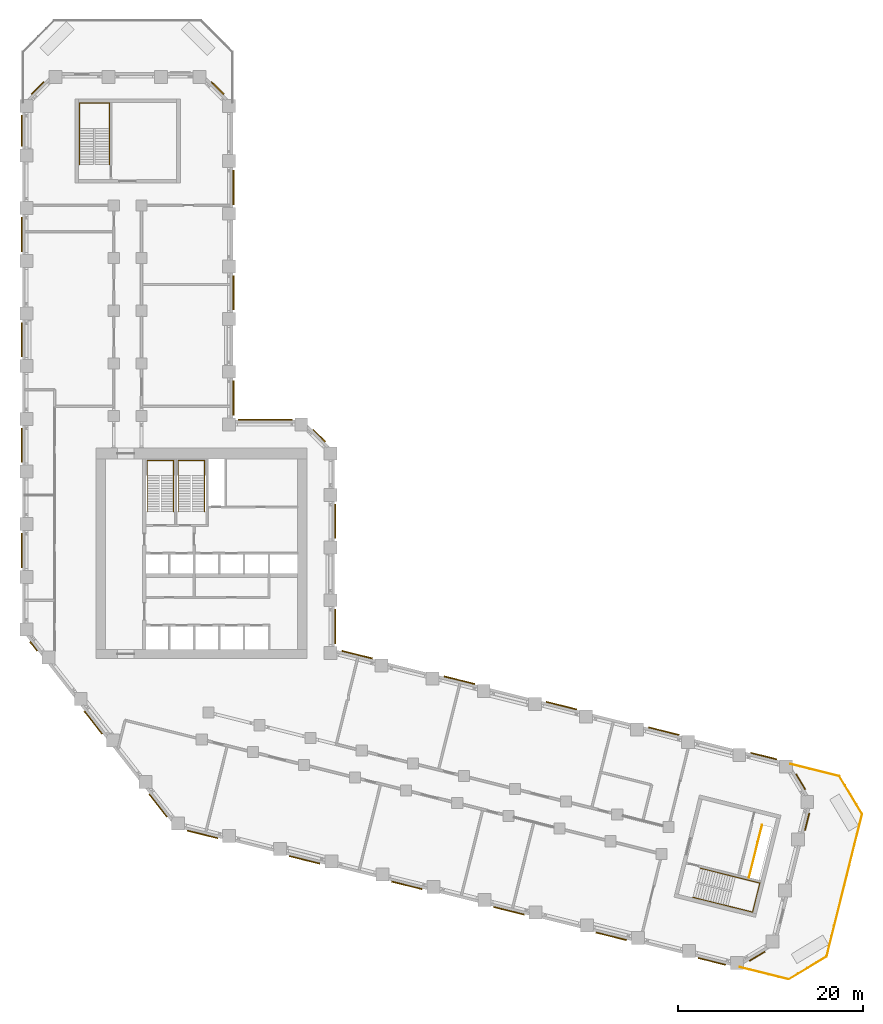
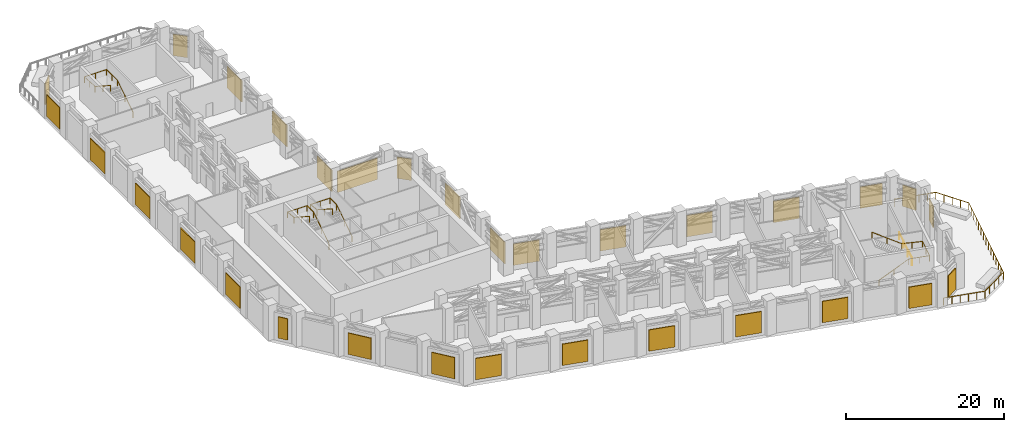
# One storey, part 13 of 14: 31 shading devices, 6 railings.
"""IFC4 building model written with IfcOpenShell, lengths in metres."""

from ifc_helpers import new_model, si_unit, direction, frame, origin, origin_2d, place, context, subcontext, project, spatial, rectangle, circle, extrude, material, layer, layer_set, type_object, element, save


model = new_model("IFC4")

# Units and contexts
model_context = context("Model", 3, precision=1e-05, world=origin(), true_north=direction((0.0, 1.0)))
body_context = subcontext(model_context, "Body", "Model", "MODEL_VIEW")
ifc_project = project(units=[si_unit("LENGTHUNIT", "METRE"), si_unit("AREAUNIT", "SQUARE_METRE"), si_unit("VOLUMEUNIT", "CUBIC_METRE"), si_unit("PLANEANGLEUNIT", "RADIAN"), si_unit("MASSUNIT", "GRAM", prefix="KILO")], contexts=[model_context])

# Site, building, storey
site_placement = place(None, origin())
site = spatial("IfcSite", under=ifc_project, at=site_placement, CompositionType="ELEMENT")
building_placement = place(site_placement, origin())
building = spatial("IfcBuilding", under=site, at=building_placement, Name="Meshkara Civic Tower", CompositionType="ELEMENT")
storey_placement = place(building_placement, frame((0.0, 0.0, 91.800048828125)))
storey = spatial("IfcBuildingStorey", under=building, at=storey_placement, Name="L20", CompositionType="ELEMENT", Elevation=91.800048828125)

# Shading devices
ifc_material_1 = material(Name="Bronze anodised aluminium louvre blades", Category="aluminium")
ifc_layer = layer(ifc_material_1, 0.1201171875)
ifc_layer_set = layer_set([ifc_layer], Name="PLANT LOUVRE BANK")
shading_device_type = type_object("IfcShadingDeviceType", Name="PLANT LOUVRE BANK", PredefinedType="USERDEFINED", material=ifc_layer_set)
shading_device_1_placement = place(storey_placement, frame((80.248046875, 3.551025390625, 0.5), z_axis=(0.0, 0.0, 1.0), x_axis=(-0.970291503795, 0.241938830418, 0.0)))
element("IfcShadingDevice", 1, at=shading_device_1_placement, inside=storey, type_object=shading_device_type, Name="Louvre bank", ObjectType="LOUVRE", PredefinedType="USERDEFINED", context=body_context, shape_type="SweptSolid", body=[
    extrude(rectangle(XDim=2.91796875, YDim=0.1201171875, at=origin_2d()), origin(), (0.0, 0.0, 1.0), 3.300048828125),
])
shading_device_2_placement = place(storey_placement, frame((69.423095703125, 6.25, 0.5), z_axis=(0.0, 0.0, 1.0), x_axis=(-0.970291503795, 0.241938830418, 0.0)))
element("IfcShadingDevice", 2, at=shading_device_2_placement, inside=storey, type_object=shading_device_type, Name="Louvre bank", ObjectType="LOUVRE", PredefinedType="USERDEFINED", context=body_context, shape_type="SweptSolid", body=[
    extrude(rectangle(XDim=3.403076171875, YDim=0.1201171875, at=origin_2d()), origin(), (0.0, 0.0, 1.0), 3.300048828125),
])
shading_device_3_placement = place(storey_placement, frame((58.361083984375, 9.009033203125, 0.5), z_axis=(0.0, 0.0, 1.0), x_axis=(-0.970291503795, 0.241938830418, 0.0)))
element("IfcShadingDevice", 3, at=shading_device_3_placement, inside=storey, type_object=shading_device_type, Name="Louvre bank", ObjectType="LOUVRE", PredefinedType="USERDEFINED", context=body_context, shape_type="SweptSolid", body=[
    extrude(rectangle(XDim=3.402099609375, YDim=0.1201171875, at=origin_2d()), origin(), (0.0, 0.0, 1.0), 3.300048828125),
])
for number, where, z_axis, x_axis, name in (
    (4, (47.300048828125, 11.76708984375, 0.5), (0.0, 0.0, 1.0), (-0.970291503795, 0.241938830418, 0.0), "Louvre bank"),
    (5, (36.239013671875, 14.52490234375, 0.5), (0.0, 0.0, 1.0), (-0.970291503795, 0.241938830418, 0.0), "Louvre bank"),
):
    element("IfcShadingDevice", number, at=place(storey_placement, frame(where, z_axis=z_axis, x_axis=x_axis)), inside=storey, type_object=shading_device_type, Name=name, ObjectType="LOUVRE", PredefinedType="USERDEFINED", context=body_context, shape_type="SweptSolid", body=[
        extrude(rectangle(XDim=3.403076171875, YDim=0.1201171875, at=origin_2d()), origin(), (0.0, 0.0, 1.0), 3.300048828125),
    ])
for number, where, z_axis, x_axis, name in (
    (6, (33.860107421875, 17.569091796875, 0.5), (0.0, 0.0, 1.0), (0.0, 1.0, 0.0), "Louvre bank"),
    (7, (33.860107421875, 28.968994140625, 0.5), (0.0, 0.0, 1.0), (0.0, 1.0, 0.0), "Louvre bank"),
):
    element("IfcShadingDevice", number, at=place(storey_placement, frame(where, z_axis=z_axis, x_axis=x_axis)), inside=storey, type_object=shading_device_type, Name=name, ObjectType="LOUVRE", PredefinedType="USERDEFINED", context=body_context, shape_type="SweptSolid", body=[
        extrude(rectangle(XDim=3.699951171875, YDim=0.1201171875, at=origin_2d()), origin(), (0.0, 0.0, 1.0), 3.300048828125),
    ])
shading_device_4_placement = place(storey_placement, frame((32.132080078125, 38.23193359375, 0.5), z_axis=(0.0, 0.0, 1.0), x_axis=(-0.707106781187, 0.707106781187, 0.0)))
element("IfcShadingDevice", 8, at=shading_device_4_placement, inside=storey, type_object=shading_device_type, Name="Louvre bank", ObjectType="LOUVRE", PredefinedType="USERDEFINED", context=body_context, shape_type="SweptSolid", body=[
    extrude(rectangle(XDim=1.883056640625, YDim=0.1201171875, at=origin_2d()), origin(), (0.0, 0.0, 1.0), 3.300048828125),
])
shading_device_5_placement = place(storey_placement, frame((26.27197265625, 39.9599609375, 0.5), z_axis=(0.0, 0.0, 1.0), x_axis=(-1.0, 0.0, 0.0)))
element("IfcShadingDevice", 9, at=shading_device_5_placement, inside=storey, type_object=shading_device_type, Name="Louvre bank", ObjectType="LOUVRE", PredefinedType="USERDEFINED", context=body_context, shape_type="SweptSolid", body=[
    extrude(rectangle(XDim=5.843994140625, YDim=0.1201171875, at=origin_2d()), origin(), (0.0, 0.0, 1.0), 3.300048828125),
])
for number, where, z_axis, x_axis, name in (
    (10, (22.860107421875, 42.300048828125, 0.5), (0.0, 0.0, 1.0), (0.0, 1.0, 0.0), "Louvre bank"),
    (11, (22.860107421875, 53.699951171875, 0.5), (0.0, 0.0, 1.0), (0.0, 1.0, 0.0), "Louvre bank"),
    (12, (22.860107421875, 65.10009765625, 0.5), (0.0, 0.0, 1.0), (0.0, 1.0, 0.0), "Louvre bank"),
):
    element("IfcShadingDevice", number, at=place(storey_placement, frame(where, z_axis=z_axis, x_axis=x_axis)), inside=storey, type_object=shading_device_type, Name=name, ObjectType="LOUVRE", PredefinedType="USERDEFINED", context=body_context, shape_type="SweptSolid", body=[
        extrude(rectangle(XDim=3.699951171875, YDim=0.1201171875, at=origin_2d()), origin(), (0.0, 0.0, 1.0), 3.300048828125),
    ])
for number, where, z_axis, x_axis, name in (
    (13, (21.132080078125, 75.85205078125, 0.5), (0.0, 0.0, 1.0), (-0.707106781187, 0.707106781187, 0.0), "Louvre bank"),
    (14, (1.66796875, 75.85205078125, 0.5), (0.0, 0.0, 1.0), (-0.707106781187, -0.707106781187, 0.0), "Louvre bank"),
):
    element("IfcShadingDevice", number, at=place(storey_placement, frame(where, z_axis=z_axis, x_axis=x_axis)), inside=storey, type_object=shading_device_type, Name=name, ObjectType="LOUVRE", PredefinedType="USERDEFINED", context=body_context, shape_type="SweptSolid", body=[
        extrude(rectangle(XDim=1.883056640625, YDim=0.1201171875, at=origin_2d()), origin(), (0.0, 0.0, 1.0), 3.300048828125),
    ])
shading_device_6_placement = place(storey_placement, frame((-0.06005859375, 71.23388671875, 0.5), z_axis=(0.0, 0.0, 1.0), x_axis=(0.0, -1.0, 0.0)))
element("IfcShadingDevice", 15, at=shading_device_6_placement, inside=storey, type_object=shading_device_type, Name="Louvre bank", ObjectType="LOUVRE", PredefinedType="USERDEFINED", context=body_context, shape_type="SweptSolid", body=[
    extrude(rectangle(XDim=3.35888671875, YDim=0.1201171875, at=origin_2d()), origin(), (0.0, 0.0, 1.0), 3.300048828125),
])
for number, where, z_axis, x_axis, name in (
    (16, (-0.06005859375, 60.0048828125, 0.5), (0.0, 0.0, 1.0), (0.0, -1.0, 0.0), "Louvre bank"),
    (17, (-0.06005859375, 48.60498046875, 0.5), (0.0, 0.0, 1.0), (0.0, -1.0, 0.0), "Louvre bank"),
    (18, (-0.06005859375, 37.205078125, 0.5), (0.0, 0.0, 1.0), (0.0, -1.0, 0.0), "Louvre bank"),
    (19, (-0.06005859375, 25.804931640625, 0.5), (0.0, 0.0, 1.0), (0.0, -1.0, 0.0), "Louvre bank"),
):
    element("IfcShadingDevice", number, at=place(storey_placement, frame(where, z_axis=z_axis, x_axis=x_axis)), inside=storey, type_object=shading_device_type, Name=name, ObjectType="LOUVRE", PredefinedType="USERDEFINED", context=body_context, shape_type="SweptSolid", body=[
        extrude(rectangle(XDim=3.699951171875, YDim=0.1201171875, at=origin_2d()), origin(), (0.0, 0.0, 1.0), 3.300048828125),
    ])
shading_device_7_placement = place(storey_placement, frame((1.22998046875, 15.427978515625, 0.5), z_axis=(0.0, 0.0, 1.0), x_axis=(0.615661475326, -0.788010753607, 0.0)))
element("IfcShadingDevice", 20, at=shading_device_7_placement, inside=storey, type_object=shading_device_type, Name="Louvre bank", ObjectType="LOUVRE", PredefinedType="USERDEFINED", context=body_context, shape_type="SweptSolid", body=[
    extrude(rectangle(XDim=1.27490234375, YDim=0.1201171875, at=origin_2d()), origin(), (0.0, 0.0, 1.0), 3.300048828125),
])
shading_device_8_placement = place(storey_placement, frame((7.676025390625, 7.177001953125, 0.5), z_axis=(0.0, 0.0, 1.0), x_axis=(0.615661475326, -0.788010753607, 0.0)))
element("IfcShadingDevice", 21, at=shading_device_8_placement, inside=storey, type_object=shading_device_type, Name="Louvre bank", ObjectType="LOUVRE", PredefinedType="USERDEFINED", context=body_context, shape_type="SweptSolid", body=[
    extrude(rectangle(XDim=3.135986328125, YDim=0.1201171875, at=origin_2d()), origin(), (0.0, 0.0, 1.0), 3.300048828125),
])
shading_device_9_placement = place(storey_placement, frame((14.695068359375, -1.805908203125, 0.5), z_axis=(0.0, 0.0, 1.0), x_axis=(0.615661475326, -0.788010753607, 0.0)))
element("IfcShadingDevice", 22, at=shading_device_9_placement, inside=storey, type_object=shading_device_type, Name="Louvre bank", ObjectType="LOUVRE", PredefinedType="USERDEFINED", context=body_context, shape_type="SweptSolid", body=[
    extrude(rectangle(XDim=3.135009765625, YDim=0.1201171875, at=origin_2d()), origin(), (0.0, 0.0, 1.0), 3.300048828125),
])
for number, where, z_axis, x_axis, name in (
    (23, (19.492919921875, -4.922119140625, 0.5), (0.0, 0.0, 1.0), (0.970299948462, -0.241904960708, 0.0), "Louvre bank"),
    (24, (30.553955078125, -7.679931640625, 0.5), (0.0, 0.0, 1.0), (0.970299948462, -0.241904960708, 0.0), "Louvre bank"),
    (25, (41.615966796875, -10.43798828125, 0.5), (0.0, 0.0, 1.0), (0.970299948462, -0.241904960708, 0.0), "Louvre bank"),
    (26, (52.677001953125, -13.195068359375, 0.5), (0.0, 0.0, 1.0), (0.970299948462, -0.241904960708, 0.0), "Louvre bank"),
):
    element("IfcShadingDevice", number, at=place(storey_placement, frame(where, z_axis=z_axis, x_axis=x_axis)), inside=storey, type_object=shading_device_type, Name=name, ObjectType="LOUVRE", PredefinedType="USERDEFINED", context=body_context, shape_type="SweptSolid", body=[
        extrude(rectangle(XDim=3.403076171875, YDim=0.1201171875, at=origin_2d()), origin(), (0.0, 0.0, 1.0), 3.300048828125),
    ])
shading_device_10_placement = place(storey_placement, frame((63.739013671875, -15.952880859375, 0.5), z_axis=(0.0, 0.0, 1.0), x_axis=(0.970299948462, -0.241904960708, 0.0)))
element("IfcShadingDevice", 27, at=shading_device_10_placement, inside=storey, type_object=shading_device_type, Name="Louvre bank", ObjectType="LOUVRE", PredefinedType="USERDEFINED", context=body_context, shape_type="SweptSolid", body=[
    extrude(rectangle(XDim=3.402099609375, YDim=0.1201171875, at=origin_2d()), origin(), (0.0, 0.0, 1.0), 3.300048828125),
])
shading_device_11_placement = place(storey_placement, frame((74.635009765625, -18.669921875, 0.5), z_axis=(0.0, 0.0, 1.0), x_axis=(0.970299948462, -0.241904960708, 0.0)))
element("IfcShadingDevice", 28, at=shading_device_11_placement, inside=storey, type_object=shading_device_type, Name="Louvre bank", ObjectType="LOUVRE", PredefinedType="USERDEFINED", context=body_context, shape_type="SweptSolid", body=[
    extrude(rectangle(XDim=3.06201171875, YDim=0.1201171875, at=origin_2d()), origin(), (0.0, 0.0, 1.0), 3.300048828125),
])
shading_device_12_placement = place(storey_placement, frame((79.532958984375, -18.111083984375, 0.5), z_axis=(0.0, 0.0, 1.0), x_axis=(0.857131342173, 0.515097915221, 0.0)))
element("IfcShadingDevice", 29, at=shading_device_12_placement, inside=storey, type_object=shading_device_type, Name="Louvre bank", ObjectType="LOUVRE", PredefinedType="USERDEFINED", context=body_context, shape_type="SweptSolid", body=[
    extrude(rectangle(XDim=1.94189453125, YDim=0.1201171875, at=origin_2d()), origin(), (0.0, 0.0, 1.0), 3.300048828125),
])
shading_device_13_placement = place(storey_placement, frame((84.943115234375, -3.554931640625, 0.5), z_axis=(0.0, 0.0, 1.0), x_axis=(0.2419218956, 0.970295726276, 0.0)))
element("IfcShadingDevice", 30, at=shading_device_13_placement, inside=storey, type_object=shading_device_type, Name="Louvre bank", ObjectType="LOUVRE", PredefinedType="USERDEFINED", context=body_context, shape_type="SweptSolid", body=[
    extrude(rectangle(XDim=1.889892578125, YDim=0.1201171875, at=origin_2d()), origin(), (0.0, 0.0, 1.0), 3.300048828125),
])
shading_device_14_placement = place(storey_placement, frame((84.241943359375, 0.77490234375, 0.5), z_axis=(0.0, 0.0, 1.0), x_axis=(-0.515097915221, 0.857131342173, 0.0)))
element("IfcShadingDevice", 31, at=shading_device_14_placement, inside=storey, type_object=shading_device_type, Name="Louvre bank", ObjectType="LOUVRE", PredefinedType="USERDEFINED", context=body_context, shape_type="SweptSolid", body=[
    extrude(rectangle(XDim=1.94189453125, YDim=0.1201171875, at=origin_2d()), origin(), (0.0, 0.0, 1.0), 3.300048828125),
])

# Railings
ifc_material_2 = material(Name="Steel guard", Category="steel")
railing_type_1 = type_object("IfcRailingType", Name="Stair guard 1100", PredefinedType="GUARDRAIL", material=ifc_material_2)
railing_1_placement = place(storey_placement, frame((78.64111328125, -9.610107421875, 0.0)))
element("IfcRailing", 32, at=railing_1_placement, inside=storey, type_object=railing_type_1, Name="L20 ESBT well guard", PredefinedType="GUARDRAIL", context=body_context, shape_type="SweptSolid", body=[
    extrude(circle(Radius=0.02392578125, at=origin_2d()), frame((0.0, 0.0, 1.076171875), z_axis=(0.241832106539, 0.970318108791, 0.0), x_axis=(-0.970318108791, 0.241832106539, 0.0)), (0.0, 0.0, 1.0), 5.879638671875),
    extrude(circle(Radius=0.02099609375, at=origin_2d()), origin(), (0.0, 0.0, 1.0), 1.052001953125),
    extrude(circle(Radius=0.02099609375, at=origin_2d()), frame((0.473876953125, 1.901611328125, 0.0)), (0.0, 0.0, 1.0), 1.052001953125),
    extrude(circle(Radius=0.02099609375, at=origin_2d()), frame((0.947998046875, 3.803466796875, 0.0)), (0.0, 0.0, 1.0), 1.052001953125),
    extrude(circle(Radius=0.02099609375, at=origin_2d()), frame((1.421875, 5.705078125, 0.0)), (0.0, 0.0, 1.0), 1.052001953125),
])
ifc_material_3 = material(Name="Steel handrail", Category="steel")
railing_type_2 = type_object("IfcRailingType", Name="Stair handrail 900", PredefinedType="HANDRAIL", material=ifc_material_3)
railing_2_placement = place(storey_placement, frame((16.375, 30.0, 0.179931640625)))
element("IfcRailing", 33, at=railing_2_placement, inside=storey, type_object=railing_type_2, Name="L20 ST1 stair handrail 1", PredefinedType="HANDRAIL", context=body_context, shape_type="SweptSolid", body=[
    extrude(circle(Radius=0.02392578125, at=origin_2d()), frame((0.0, 0.0, 0.8759765625), z_axis=(0.0, 0.841171666519, 0.540768182723), x_axis=(-1.0, 0.0, 0.0)), (0.0, 0.0, 1.0), 4.66015625),
    extrude(circle(Radius=0.02392578125, at=origin_2d()), frame((0.0, 3.919921875, 3.39599609375), z_axis=(0.0, 1.0, 0.0), x_axis=(-1.0, 0.0, 0.0)), (0.0, 0.0, 1.0), 1.630126953125),
    extrude(circle(Radius=0.02392578125, at=origin_2d()), frame((0.0, 5.550048828125, 3.39599609375), z_axis=(-1.0, 0.0, 0.0), x_axis=(0.0, -1.0, 0.0)), (0.0, 0.0, 1.0), 2.85009765625),
    extrude(circle(Radius=0.02392578125, at=origin_2d()), frame((-2.85009765625, 5.550048828125, 3.39599609375), z_axis=(0.0, -0.99396335279, 0.10971259413), x_axis=(1.0, 0.0, 0.0)), (0.0, 0.0, 1.0), 1.64013671875),
    extrude(circle(Radius=0.02392578125, at=origin_2d()), frame((-2.85009765625, 3.919921875, 3.57568359375), z_axis=(0.0, -0.841171666519, 0.540768182723), x_axis=(1.0, 0.0, 0.0)), (0.0, 0.0, 1.0), 4.66015625),
    extrude(circle(Radius=0.02099609375, at=origin_2d()), origin(), (0.0, 0.0, 1.0), 0.851806640625),
    extrude(circle(Radius=0.02099609375, at=origin_2d()), frame((0.0, 1.9599609375, 1.260009765625)), (0.0, 0.0, 1.0), 0.851806640625),
    extrude(circle(Radius=0.02099609375, at=origin_2d()), frame((0.0, 3.919921875, 2.52001953125)), (0.0, 0.0, 1.0), 0.851806640625),
    extrude(circle(Radius=0.02099609375, at=origin_2d()), frame((0.0, 5.550048828125, 2.52001953125)), (0.0, 0.0, 1.0), 0.851806640625),
    extrude(circle(Radius=0.02099609375, at=origin_2d()), frame((-1.425048828125, 5.550048828125, 2.52001953125)), (0.0, 0.0, 1.0), 0.851806640625),
    extrude(circle(Radius=0.02099609375, at=origin_2d()), frame((-2.85009765625, 5.550048828125, 2.52001953125)), (0.0, 0.0, 1.0), 0.851806640625),
    extrude(circle(Radius=0.02099609375, at=origin_2d()), frame((-2.85009765625, 3.919921875, 2.699951171875)), (0.0, 0.0, 1.0), 0.851806640625),
    extrude(circle(Radius=0.02099609375, at=origin_2d()), frame((-2.85009765625, 1.9599609375, 3.9599609375)), (0.0, 0.0, 1.0), 0.851806640625),
    extrude(circle(Radius=0.02099609375, at=origin_2d()), frame((-2.85009765625, 0.0, 5.219970703125)), (0.0, 0.0, 1.0), 0.851806640625),
])
railing_3_placement = place(storey_placement, frame((19.72509765625, 30.0, 0.179931640625)))
element("IfcRailing", 34, at=railing_3_placement, inside=storey, type_object=railing_type_2, Name="L20 ST2 stair handrail 1", PredefinedType="HANDRAIL", context=body_context, shape_type="SweptSolid", body=[
    extrude(circle(Radius=0.02392578125, at=origin_2d()), frame((0.0, 0.0, 0.8759765625), z_axis=(0.0, 0.841171666519, 0.540768182723), x_axis=(-1.0, 0.0, 0.0)), (0.0, 0.0, 1.0), 4.66015625),
    extrude(circle(Radius=0.02392578125, at=origin_2d()), frame((0.0, 3.919921875, 3.39599609375), z_axis=(0.0, 1.0, 0.0), x_axis=(-1.0, 0.0, 0.0)), (0.0, 0.0, 1.0), 1.630126953125),
    extrude(circle(Radius=0.02392578125, at=origin_2d()), frame((0.0, 5.550048828125, 3.39599609375), z_axis=(-1.0, 0.0, 0.0), x_axis=(0.0, -1.0, 0.0)), (0.0, 0.0, 1.0), 2.85009765625),
    extrude(circle(Radius=0.02392578125, at=origin_2d()), frame((-2.85009765625, 5.550048828125, 3.39599609375), z_axis=(0.0, -0.99396335279, 0.10971259413), x_axis=(1.0, 0.0, 0.0)), (0.0, 0.0, 1.0), 1.64013671875),
    extrude(circle(Radius=0.02392578125, at=origin_2d()), frame((-2.85009765625, 3.919921875, 3.57568359375), z_axis=(0.0, -0.841171666519, 0.540768182723), x_axis=(1.0, 0.0, 0.0)), (0.0, 0.0, 1.0), 4.66015625),
    extrude(circle(Radius=0.02099609375, at=origin_2d()), origin(), (0.0, 0.0, 1.0), 0.851806640625),
    extrude(circle(Radius=0.02099609375, at=origin_2d()), frame((0.0, 1.9599609375, 1.260009765625)), (0.0, 0.0, 1.0), 0.851806640625),
    extrude(circle(Radius=0.02099609375, at=origin_2d()), frame((0.0, 3.919921875, 2.52001953125)), (0.0, 0.0, 1.0), 0.851806640625),
    extrude(circle(Radius=0.02099609375, at=origin_2d()), frame((0.0, 5.550048828125, 2.52001953125)), (0.0, 0.0, 1.0), 0.851806640625),
    extrude(circle(Radius=0.02099609375, at=origin_2d()), frame((-1.425048828125, 5.550048828125, 2.52001953125)), (0.0, 0.0, 1.0), 0.851806640625),
    extrude(circle(Radius=0.02099609375, at=origin_2d()), frame((-2.85009765625, 5.550048828125, 2.52001953125)), (0.0, 0.0, 1.0), 0.851806640625),
    extrude(circle(Radius=0.02099609375, at=origin_2d()), frame((-2.85009765625, 3.919921875, 2.699951171875)), (0.0, 0.0, 1.0), 0.851806640625),
    extrude(circle(Radius=0.02099609375, at=origin_2d()), frame((-2.85009765625, 1.9599609375, 3.9599609375)), (0.0, 0.0, 1.0), 0.851806640625),
    extrude(circle(Radius=0.02099609375, at=origin_2d()), frame((-2.85009765625, 0.0, 5.219970703125)), (0.0, 0.0, 1.0), 0.851806640625),
])
railing_4_placement = place(storey_placement, frame((9.425048828125, 67.570068359375, 0.179931640625)))
element("IfcRailing", 35, at=railing_4_placement, inside=storey, type_object=railing_type_2, Name="L20 ESA2 stair handrail 1", PredefinedType="HANDRAIL", context=body_context, shape_type="SweptSolid", body=[
    extrude(circle(Radius=0.02392578125, at=origin_2d()), frame((0.0, 0.0, 0.8759765625), z_axis=(0.0, 0.841171666519, 0.540768182723), x_axis=(-1.0, 0.0, 0.0)), (0.0, 0.0, 1.0), 4.66015625),
    extrude(circle(Radius=0.02392578125, at=origin_2d()), frame((0.0, 3.919921875, 3.39599609375), z_axis=(0.0, 1.0, 0.0), x_axis=(-1.0, 0.0, 0.0)), (0.0, 0.0, 1.0), 2.72998046875),
    extrude(circle(Radius=0.02392578125, at=origin_2d()), frame((0.0, 6.64990234375, 3.39599609375), z_axis=(-1.0, 0.0, 0.0), x_axis=(0.0, -1.0, 0.0)), (0.0, 0.0, 1.0), 3.25),
    extrude(circle(Radius=0.02392578125, at=origin_2d()), frame((-3.25, 6.64990234375, 3.39599609375), z_axis=(0.0, -0.997835020133, 0.065766804672), x_axis=(1.0, 0.0, 0.0)), (0.0, 0.0, 1.0), 2.73583984375),
    extrude(circle(Radius=0.02392578125, at=origin_2d()), frame((-3.25, 3.919921875, 3.57568359375), z_axis=(0.0, -0.841171666519, 0.540768182723), x_axis=(1.0, 0.0, 0.0)), (0.0, 0.0, 1.0), 4.66015625),
    extrude(circle(Radius=0.02099609375, at=origin_2d()), origin(), (0.0, 0.0, 1.0), 0.851806640625),
    extrude(circle(Radius=0.02099609375, at=origin_2d()), frame((0.0, 1.9599609375, 1.260009765625)), (0.0, 0.0, 1.0), 0.851806640625),
    extrude(circle(Radius=0.02099609375, at=origin_2d()), frame((0.0, 3.919921875, 2.52001953125)), (0.0, 0.0, 1.0), 0.851806640625),
    extrude(circle(Radius=0.02099609375, at=origin_2d()), frame((0.0, 5.284912109375, 2.52001953125)), (0.0, 0.0, 1.0), 0.851806640625),
    extrude(circle(Radius=0.02099609375, at=origin_2d()), frame((0.0, 6.64990234375, 2.52001953125)), (0.0, 0.0, 1.0), 0.851806640625),
    extrude(circle(Radius=0.02099609375, at=origin_2d()), frame((-1.625, 6.64990234375, 2.52001953125)), (0.0, 0.0, 1.0), 0.851806640625),
    extrude(circle(Radius=0.02099609375, at=origin_2d()), frame((-3.25, 6.64990234375, 2.52001953125)), (0.0, 0.0, 1.0), 0.851806640625),
    extrude(circle(Radius=0.02099609375, at=origin_2d()), frame((-3.25, 5.284912109375, 2.60986328125)), (0.0, 0.0, 1.0), 0.851806640625),
    extrude(circle(Radius=0.02099609375, at=origin_2d()), frame((-3.25, 3.919921875, 2.699951171875)), (0.0, 0.0, 1.0), 0.851806640625),
    extrude(circle(Radius=0.02099609375, at=origin_2d()), frame((-3.25, 1.9599609375, 3.9599609375)), (0.0, 0.0, 1.0), 0.851806640625),
    extrude(circle(Radius=0.02099609375, at=origin_2d()), frame((-3.25, 0.0, 5.219970703125)), (0.0, 0.0, 1.0), 0.851806640625),
])
railing_5_placement = place(storey_placement, frame((72.587158203125, -11.73388671875, 0.179931640625)))
element("IfcRailing", 36, at=railing_5_placement, inside=storey, type_object=railing_type_2, Name="L20 ESB2 stair handrail 1", PredefinedType="HANDRAIL", context=body_context, shape_type="SweptSolid", body=[
    extrude(circle(Radius=0.02392578125, at=origin_2d()), frame((0.0, 0.0, 0.8759765625), z_axis=(0.816143068707, -0.203642836569, 0.540777298446), x_axis=(0.242095951919, 0.970252312579, 0.0)), (0.0, 0.0, 1.0), 4.659912109375),
    extrude(circle(Radius=0.02392578125, at=origin_2d()), frame((3.80322265625, -0.948974609375, 3.39599609375), z_axis=(0.970258115804, -0.24207269304, 0.0), x_axis=(0.24207269304, 0.970258115804, 0.0)), (0.0, 0.0, 1.0), 2.730224609375),
    extrude(circle(Radius=0.02392578125, at=origin_2d()), frame((6.4521484375, -1.60986328125, 3.39599609375), z_axis=(0.242040676986, 0.970266103027, 0.0), x_axis=(-0.970266103027, 0.242040676986, 0.0)), (0.0, 0.0, 1.0), 3.25),
    extrude(circle(Radius=0.02392578125, at=origin_2d()), frame((7.23876953125, 1.54345703125, 3.39599609375), z_axis=(-0.968152155059, 0.241569534864, 0.065769023714), x_axis=(-0.242093698255, -0.970252874907, 0.0)), (0.0, 0.0, 1.0), 2.73583984375),
    extrude(circle(Radius=0.02392578125, at=origin_2d()), frame((4.590087890625, 2.204345703125, 3.57568359375), z_axis=(-0.816160561406, 0.203634129417, 0.540754176445), x_axis=(-0.242081322746, -0.970255962712, 0.0)), (0.0, 0.0, 1.0), 4.66015625),
    extrude(circle(Radius=0.02099609375, at=origin_2d()), origin(), (0.0, 0.0, 1.0), 0.851806640625),
    extrude(circle(Radius=0.02099609375, at=origin_2d()), frame((1.901611328125, -0.474609375, 1.260009765625)), (0.0, 0.0, 1.0), 0.851806640625),
    extrude(circle(Radius=0.02099609375, at=origin_2d()), frame((3.80322265625, -0.948974609375, 2.52001953125)), (0.0, 0.0, 1.0), 0.851806640625),
    extrude(circle(Radius=0.02099609375, at=origin_2d()), frame((5.127685546875, -1.279296875, 2.52001953125)), (0.0, 0.0, 1.0), 0.851806640625),
    extrude(circle(Radius=0.02099609375, at=origin_2d()), frame((6.4521484375, -1.60986328125, 2.52001953125)), (0.0, 0.0, 1.0), 0.851806640625),
    extrude(circle(Radius=0.02099609375, at=origin_2d()), frame((6.845458984375, -0.033203125, 2.52001953125)), (0.0, 0.0, 1.0), 0.851806640625),
    extrude(circle(Radius=0.02099609375, at=origin_2d()), frame((7.23876953125, 1.54345703125, 2.52001953125)), (0.0, 0.0, 1.0), 0.851806640625),
    extrude(circle(Radius=0.02099609375, at=origin_2d()), frame((5.91455078125, 1.8740234375, 2.60986328125)), (0.0, 0.0, 1.0), 0.851806640625),
    extrude(circle(Radius=0.02099609375, at=origin_2d()), frame((4.590087890625, 2.204345703125, 2.699951171875)), (0.0, 0.0, 1.0), 0.851806640625),
    extrude(circle(Radius=0.02099609375, at=origin_2d()), frame((2.6884765625, 2.6787109375, 3.9599609375)), (0.0, 0.0, 1.0), 0.851806640625),
    extrude(circle(Radius=0.02099609375, at=origin_2d()), frame((0.78662109375, 3.1533203125, 5.219970703125)), (0.0, 0.0, 1.0), 0.851806640625),
])
ifc_material_4 = material(Name="Steel S355", Category="steel")
railing_type_3 = type_object("IfcRailingType", Name="TERRACE BALUSTRADE 1150", PredefinedType="BALUSTRADE", material=ifc_material_4)
railing_6_placement = place(storey_placement, frame((83.133056640625, 2.697998046875, 0.0)))
element("IfcRailing", 37, at=railing_6_placement, inside=storey, type_object=railing_type_3, Name="Terrace guard", PredefinedType="BALUSTRADE", context=body_context, shape_type="SweptSolid", body=[
    extrude(circle(Radius=0.02392578125, at=origin_2d()), frame((0.0, 0.0, 1.1259765625), z_axis=(0.970289613784, -0.241946410147, 0.0), x_axis=(0.241946410147, 0.970289613784, 0.0)), (0.0, 0.0, 1.0), 5.4599609375),
    extrude(circle(Radius=0.02392578125, at=origin_2d()), frame((5.2978515625, -1.321044921875, 1.1259765625), z_axis=(0.515141877496, -0.857104921261, 0.0), x_axis=(0.857104921261, 0.515141877496, 0.0)), (0.0, 0.0, 1.0), 4.777587890625),
    extrude(circle(Radius=0.02392578125, at=origin_2d()), frame((7.759033203125, -5.416015625, 1.1259765625), z_axis=(-0.241925088376, -0.970294930222, 0.0), x_axis=(0.970294930222, -0.241925088376, 0.0)), (0.0, 0.0, 1.0), 15.90234375),
    extrude(circle(Radius=0.02392578125, at=origin_2d()), frame((3.911865234375, -20.845947265625, 1.1259765625), z_axis=(-0.857181704798, -0.515014101709, 0.0), x_axis=(0.515014101709, -0.857181704798, 0.0)), (0.0, 0.0, 1.0), 4.7783203125),
    extrude(circle(Radius=0.02392578125, at=origin_2d()), frame((-0.18408203125, -23.306884765625, 1.1259765625), z_axis=(-0.970289640878, 0.241946301491, 0.0), x_axis=(-0.241946301491, -0.970289640878, 0.0)), (0.0, 0.0, 1.0), 5.458984375),
    extrude(circle(Radius=0.02099609375, at=origin_2d()), origin(), (0.0, 0.0, 1.0), 1.101806640625),
    extrude(circle(Radius=0.02099609375, at=origin_2d()), frame((1.0595703125, -0.26416015625, 0.0)), (0.0, 0.0, 1.0), 1.101806640625),
    extrude(circle(Radius=0.02099609375, at=origin_2d()), frame((2.119140625, -0.5283203125, 0.0)), (0.0, 0.0, 1.0), 1.101806640625),
    extrude(circle(Radius=0.02099609375, at=origin_2d()), frame((3.1787109375, -0.792724609375, 0.0)), (0.0, 0.0, 1.0), 1.101806640625),
    extrude(circle(Radius=0.02099609375, at=origin_2d()), frame((4.23828125, -1.056884765625, 0.0)), (0.0, 0.0, 1.0), 1.101806640625),
    extrude(circle(Radius=0.02099609375, at=origin_2d()), frame((5.2978515625, -1.321044921875, 0.0)), (0.0, 0.0, 1.0), 1.101806640625),
    extrude(circle(Radius=0.02099609375, at=origin_2d()), frame((5.9130859375, -2.3447265625, 0.0)), (0.0, 0.0, 1.0), 1.101806640625),
    extrude(circle(Radius=0.02099609375, at=origin_2d()), frame((6.5283203125, -3.36865234375, 0.0)), (0.0, 0.0, 1.0), 1.101806640625),
    extrude(circle(Radius=0.02099609375, at=origin_2d()), frame((7.143798828125, -4.392333984375, 0.0)), (0.0, 0.0, 1.0), 1.101806640625),
    extrude(circle(Radius=0.02099609375, at=origin_2d()), frame((7.759033203125, -5.416015625, 0.0)), (0.0, 0.0, 1.0), 1.101806640625),
    extrude(circle(Radius=0.02099609375, at=origin_2d()), frame((7.484130859375, -6.51806640625, 0.0)), (0.0, 0.0, 1.0), 1.101806640625),
    extrude(circle(Radius=0.02099609375, at=origin_2d()), frame((7.20947265625, -7.620361328125, 0.0)), (0.0, 0.0, 1.0), 1.101806640625),
    extrude(circle(Radius=0.02099609375, at=origin_2d()), frame((6.9345703125, -8.722412109375, 0.0)), (0.0, 0.0, 1.0), 1.101806640625),
    extrude(circle(Radius=0.02099609375, at=origin_2d()), frame((6.659912109375, -9.824462890625, 0.0)), (0.0, 0.0, 1.0), 1.101806640625),
    extrude(circle(Radius=0.02099609375, at=origin_2d()), frame((6.385009765625, -10.9267578125, 0.0)), (0.0, 0.0, 1.0), 1.101806640625),
    extrude(circle(Radius=0.02099609375, at=origin_2d()), frame((6.1103515625, -12.02880859375, 0.0)), (0.0, 0.0, 1.0), 1.101806640625),
    extrude(circle(Radius=0.02099609375, at=origin_2d()), frame((5.83544921875, -13.130859375, 0.0)), (0.0, 0.0, 1.0), 1.101806640625),
    extrude(circle(Radius=0.02099609375, at=origin_2d()), frame((5.560546875, -14.233154296875, 0.0)), (0.0, 0.0, 1.0), 1.101806640625),
    extrude(circle(Radius=0.02099609375, at=origin_2d()), frame((5.285888671875, -15.335205078125, 0.0)), (0.0, 0.0, 1.0), 1.101806640625),
    extrude(circle(Radius=0.02099609375, at=origin_2d()), frame((5.010986328125, -16.4375, 0.0)), (0.0, 0.0, 1.0), 1.101806640625),
    extrude(circle(Radius=0.02099609375, at=origin_2d()), frame((4.736328125, -17.53955078125, 0.0)), (0.0, 0.0, 1.0), 1.101806640625),
    extrude(circle(Radius=0.02099609375, at=origin_2d()), frame((4.46142578125, -18.6416015625, 0.0)), (0.0, 0.0, 1.0), 1.101806640625),
    extrude(circle(Radius=0.02099609375, at=origin_2d()), frame((4.186767578125, -19.743896484375, 0.0)), (0.0, 0.0, 1.0), 1.101806640625),
    extrude(circle(Radius=0.02099609375, at=origin_2d()), frame((3.911865234375, -20.845947265625, 0.0)), (0.0, 0.0, 1.0), 1.101806640625),
    extrude(circle(Radius=0.02099609375, at=origin_2d()), frame((2.887939453125, -21.461181640625, 0.0)), (0.0, 0.0, 1.0), 1.101806640625),
    extrude(circle(Radius=0.02099609375, at=origin_2d()), frame((1.86376953125, -22.076416015625, 0.0)), (0.0, 0.0, 1.0), 1.101806640625),
    extrude(circle(Radius=0.02099609375, at=origin_2d()), frame((0.83984375, -22.691650390625, 0.0)), (0.0, 0.0, 1.0), 1.101806640625),
    extrude(circle(Radius=0.02099609375, at=origin_2d()), frame((-0.18408203125, -23.306884765625, 0.0)), (0.0, 0.0, 1.0), 1.101806640625),
    extrude(circle(Radius=0.02099609375, at=origin_2d()), frame((-1.243408203125, -23.042724609375, 0.0)), (0.0, 0.0, 1.0), 1.101806640625),
    extrude(circle(Radius=0.02099609375, at=origin_2d()), frame((-2.302734375, -22.778564453125, 0.0)), (0.0, 0.0, 1.0), 1.101806640625),
    extrude(circle(Radius=0.02099609375, at=origin_2d()), frame((-3.3623046875, -22.514404296875, 0.0)), (0.0, 0.0, 1.0), 1.101806640625),
    extrude(circle(Radius=0.02099609375, at=origin_2d()), frame((-4.421630859375, -22.250244140625, 0.0)), (0.0, 0.0, 1.0), 1.101806640625),
    extrude(circle(Radius=0.02099609375, at=origin_2d()), frame((-5.48095703125, -21.986083984375, 0.0)), (0.0, 0.0, 1.0), 1.101806640625),
])

save(model, "model.ifc")
